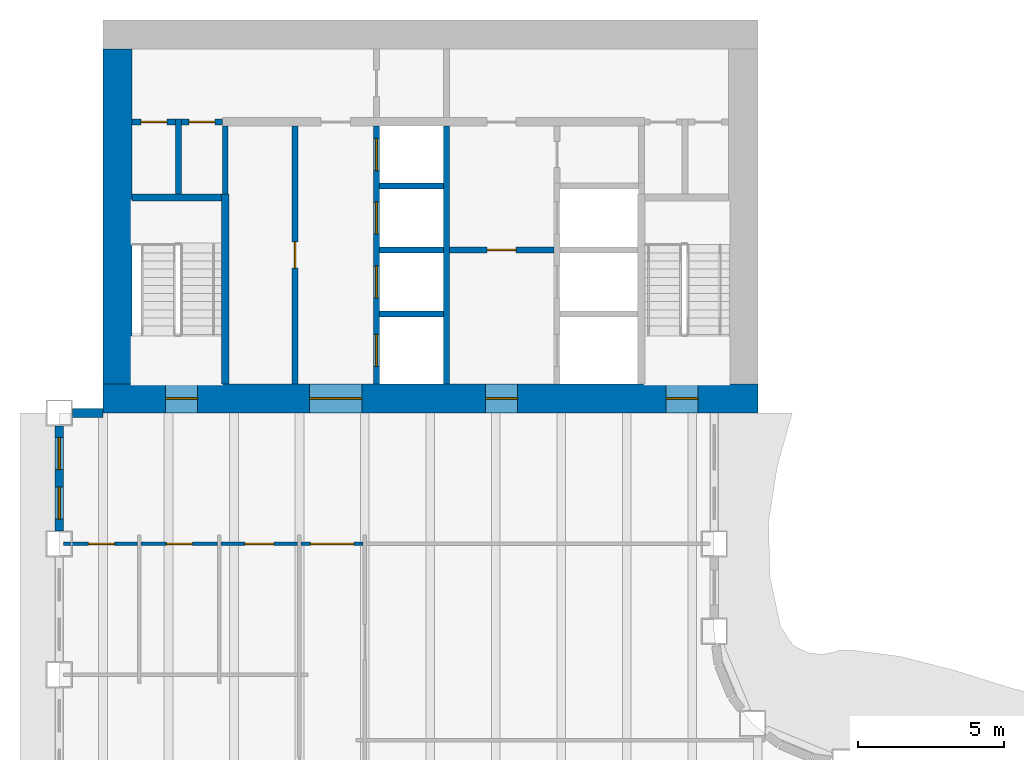
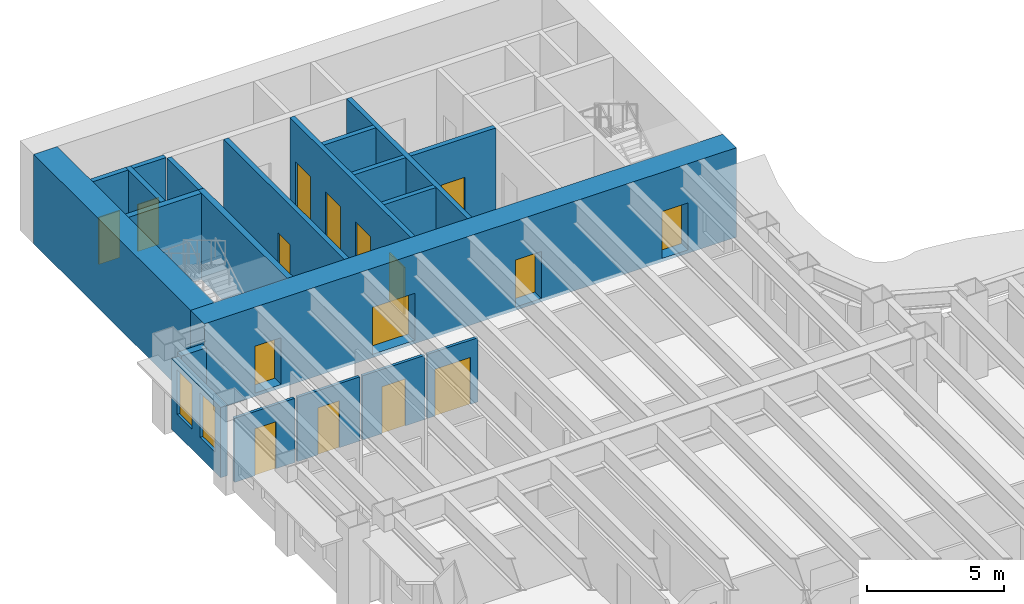
# One storey, part 8 of 16: 21 walls, 16 doors, 2 windows, 18 openings.
"""IFC4 building model written with IfcOpenShell, lengths in metres."""

import ifcopenshell
import ifcopenshell.guid

model = None  # the IFC model being written
_history = None  # IfcOwnerHistory: only IFC2X3 demands one
_inside = {}  # id of a spatial element -> (the spatial element, [elements in it])
_under = {}  # id of a project, library or spatial element -> (it, [spatial elements below it])
_declared = {}  # id of a project -> (the project, [libraries it declares])
_typed = {}  # id of a type object -> (the type object, [elements of that type])
_made_of = {}  # id of a material, layer set ... -> (it, [elements and type objects made of it])


def new_model(schema):
    """Start an empty IFC model of exactly this schema.

    Asked for "IFC4X3", IfcOpenShell would pick the latest addendum, in which some entities
    have other attributes; the version numbers below select the first issue.
    IFC2X3 requires an IfcOwnerHistory on every rooted entity: one is made here for all.
    """
    global model, _history
    if schema == "IFC4X3":
        model = ifcopenshell.file(schema_version=(4, 3, 0, 0))
    else:
        model = ifcopenshell.file(schema=schema)
    _inside.clear()
    _under.clear()
    _declared.clear()
    _typed.clear()
    _made_of.clear()
    _history = None
    if model.schema == "IFC2X3":
        org = make("IfcOrganization", Name="unknown")
        user = make(
            "IfcPersonAndOrganization",
            ThePerson=make("IfcPerson", FamilyName="unknown"),
            TheOrganization=org,
        )
        app = make(
            "IfcApplication",
            ApplicationDeveloper=org,
            Version="unknown",
            ApplicationFullName="unknown",
            ApplicationIdentifier="unknown",
        )
        _history = make(
            "IfcOwnerHistory",
            OwningUser=user,
            OwningApplication=app,
            ChangeAction="ADDED",
            CreationDate=0,
        )
    return model


def make(cls, **values):
    """One entity of the class cls with the attributes given. An attribute that is None is left unset."""
    return model.create_entity(
        cls, **{name: value for name, value in values.items() if value is not None}
    )


def rooted(cls, **values):
    """An entity with a GlobalId (a new one), such as an element, a storey or a relation."""
    return make(cls, GlobalId=ifcopenshell.guid.new(), OwnerHistory=_history, **values)


def si_unit(unit_type, name, prefix=None):
    """IfcSIUnit, for example si_unit("LENGTHUNIT", "METRE", prefix="MILLI")."""
    return make("IfcSIUnit", UnitType=unit_type, Prefix=prefix, Name=name)


def assignment(units):
    """IfcUnitAssignment: the units of a project."""
    return None if units is None else make("IfcUnitAssignment", Units=units)


def point(xyz):
    """IfcCartesianPoint."""
    return None if xyz is None else make("IfcCartesianPoint", Coordinates=xyz)


def direction(xyz):
    """IfcDirection."""
    return None if xyz is None else make("IfcDirection", DirectionRatios=xyz)


def frame(location, z_axis=None, x_axis=None):
    """IfcAxis2Placement3D, a coordinate frame: its origin and axes. An axis left out is left unset."""
    return make(
        "IfcAxis2Placement3D",
        Location=point(location),
        Axis=direction(z_axis),
        RefDirection=direction(x_axis),
    )


def frame_2d(location, x_axis=None):
    """IfcAxis2Placement2D, a coordinate frame in the plane: its origin and x axis."""
    return make(
        "IfcAxis2Placement2D", Location=point(location), RefDirection=direction(x_axis)
    )


def origin():
    """The frame at (0, 0, 0) with its axes left unset."""
    return frame((0.0, 0.0, 0.0))


def place(relative_to, where):
    """IfcLocalPlacement: puts the frame where relative to a parent placement (None: the world)."""
    return make(
        "IfcLocalPlacement", PlacementRelTo=relative_to, RelativePlacement=where
    )


def context(
    kind, dimensions, precision=None, world=None, true_north=None, identifier=None
):
    """IfcGeometricRepresentationContext, for example the 3D "Model" context."""
    return make(
        "IfcGeometricRepresentationContext",
        ContextIdentifier=identifier,
        ContextType=kind,
        CoordinateSpaceDimension=dimensions,
        Precision=precision,
        WorldCoordinateSystem=world,
        TrueNorth=true_north,
    )


def subcontext(parent, identifier, kind, view, scale=None):
    """IfcGeometricRepresentationSubContext, for example "Body" below "Model"."""
    return make(
        "IfcGeometricRepresentationSubContext",
        ContextIdentifier=identifier,
        ContextType=kind,
        ParentContext=parent,
        TargetScale=scale,
        TargetView=view,
    )


def project(units=None, contexts=None):
    """IfcProject with its units and contexts."""
    return rooted(
        "IfcProject",
        Name="project",
        RepresentationContexts=contexts,
        UnitsInContext=assignment(units),
    )


def spatial(cls, under=None, at=None, **own):
    """A site, building, storey or space (cls), placed at a placement, below another one or the project."""
    s = rooted(cls, ObjectPlacement=at, **own)
    if under is not None:
        _under.setdefault(under.id(), (under, []))[1].append(s)
    return s


def profile(cls, at=None, kind="AREA", **sizes):
    """A parametric profile (cls). Its sizes go by their IFC names, for example OverallWidth=200.0."""
    return make(cls, ProfileType=kind, Position=at, **sizes)


def rectangle(**sizes):
    """IfcRectangleProfileDef."""
    return profile("IfcRectangleProfileDef", **sizes)


def extrude(swept, where, along, depth):
    """IfcExtrudedAreaSolid: the profile swept, set in the frame where, extruded along a direction by depth."""
    return make(
        "IfcExtrudedAreaSolid",
        SweptArea=swept,
        Position=where,
        ExtrudedDirection=direction(along),
        Depth=depth,
    )


def shape(context_of_items, identifier, shape_type, items):
    """IfcShapeRepresentation: the items that make up one representation, for example the "Body"."""
    return make(
        "IfcShapeRepresentation",
        ContextOfItems=context_of_items,
        RepresentationIdentifier=identifier,
        RepresentationType=shape_type,
        Items=items,
    )


def material(Name=None, Category=None):
    """IfcMaterial."""
    return make("IfcMaterial", Name=Name, Category=Category)


def layer(
    of_material, thickness, ventilated=None, Name=None, Category=None, Priority=None
):
    """IfcMaterialLayer: one layer of a wall or slab, of a material (None: an air gap)."""
    return make(
        "IfcMaterialLayer",
        Material=of_material,
        LayerThickness=thickness,
        IsVentilated=ventilated,
        Name=Name,
        Category=Category,
        Priority=Priority,
    )


def layer_set(layers, Name=None):
    """IfcMaterialLayerSet."""
    return make("IfcMaterialLayerSet", MaterialLayers=layers, LayerSetName=Name)


def made_of(thing, what):
    """Note that an element or type object is made of a material, layer set ...; save() writes the relation."""
    if what is not None:
        _made_of.setdefault(what.id(), (what, []))[1].append(thing)
    return thing


def type_object(cls, material=None, **own):
    """A type object (cls), such as IfcWallType, which elements share."""
    return made_of(rooted(cls, **own), material)


def element(
    cls,
    number,
    at=None,
    inside=None,
    cuts=None,
    type_object=None,
    material=None,
    context=None,
    identifier="Body",
    shape_type=None,
    held_by="IfcProductDefinitionShape",
    body=None,
    shapes=None,
    **own,
):
    """One element of the class cls, such as IfcWall. Its Tag is "e" and its number.

    at: its placement. inside: the storey or other place that contains it. cuts: it is an
    opening in that element (IfcRelVoidsElement). A single representation is given by context,
    identifier, shape_type and body (its items); several are given by shapes. held_by: the class
    of the entity that holds the representations. save() writes the other relations.
    """
    e = rooted(cls, Tag="e%d" % number, ObjectPlacement=at, **own)
    if body is not None:
        shapes = [shape(context, identifier, shape_type, body)]
    if shapes is not None:
        e.Representation = make(held_by, Representations=shapes)
    if inside is not None:
        _inside.setdefault(inside.id(), (inside, []))[1].append(e)
    if cuts is not None:
        rooted(
            "IfcRelVoidsElement", RelatingBuildingElement=cuts, RelatedOpeningElement=e
        )
    if type_object is not None:
        _typed.setdefault(type_object.id(), (type_object, []))[1].append(e)
    return made_of(e, material)


def fill(opening, filler):
    """IfcRelFillsElement: the door or window that sits in an opening."""
    return rooted(
        "IfcRelFillsElement",
        RelatingOpeningElement=opening,
        RelatedBuildingElement=filler,
    )


def aggregate(whole, parts):
    """IfcRelAggregates: a whole, such as a stair, and the parts it consists of."""
    return rooted("IfcRelAggregates", RelatingObject=whole, RelatedObjects=parts)


def save(model, path):
    """Write the relations noted so far, then the file.

    IfcRelAggregates (storeys below a building ...), IfcRelContainedInSpatialStructure (elements
    in a storey), IfcRelDefinesByType, IfcRelAssociatesMaterial and IfcRelDeclares: one each for
    every whole, place, type object, material and project.
    """
    for whole, parts in _under.values():
        aggregate(whole, parts)
    for where, things in _inside.values():
        rooted(
            "IfcRelContainedInSpatialStructure",
            RelatedElements=things,
            RelatingStructure=where,
        )
    for kind, things in _typed.values():
        rooted("IfcRelDefinesByType", RelatedObjects=things, RelatingType=kind)
    for what, things in _made_of.values():
        rooted("IfcRelAssociatesMaterial", RelatedObjects=things, RelatingMaterial=what)
    for by, libraries in _declared.values():
        rooted("IfcRelDeclares", RelatingContext=by, RelatedDefinitions=libraries)
    model.write(path)


model = new_model("IFC4")

# Units and contexts
model_context = context("Model", 3, precision=1e-05, world=origin(), true_north=direction((0.0, 1.0)))
body_context = subcontext(model_context, "Body", "Model", "MODEL_VIEW")
ifc_project = project(units=[si_unit("LENGTHUNIT", "METRE"), si_unit("AREAUNIT", "SQUARE_METRE"), si_unit("VOLUMEUNIT", "CUBIC_METRE"), si_unit("PLANEANGLEUNIT", "RADIAN"), si_unit("MASSUNIT", "GRAM", prefix="KILO")], contexts=[model_context])

# Site, building, storey
site_placement = place(None, origin())
site = spatial("IfcSite", under=ifc_project, at=site_placement, CompositionType="ELEMENT")
building_placement = place(site_placement, origin())
building = spatial("IfcBuilding", under=site, at=building_placement, Name="Sennacour Bend Tower", CompositionType="ELEMENT")
storey_placement = place(building_placement, frame((0.0, 0.0, 171.0)))
storey = spatial("IfcBuildingStorey", under=building, at=storey_placement, Name="L39", CompositionType="ELEMENT", Elevation=171.0)

# Wall, openings, doors
ifc_material_1 = material(Name="Concrete C60/75", Category="concrete")
ifc_layer_1 = layer(ifc_material_1, 1.0, Name="Concrete C60/75", Category="concrete")
ifc_layer_set_1 = layer_set([ifc_layer_1], Name="Concrete C60/75")
wall_type_1 = type_object("IfcWallType", Name="Core wall 1000 C60/75", PredefinedType="SHEAR", material=ifc_layer_set_1)
wall_1_placement = place(storey_placement, frame((0.0, 36.5, -0.14990234375), z_axis=(0.0, 0.0, 1.0), x_axis=(1.0, 0.0, 0.0)))
wall_1 = element("IfcWall", 1, at=wall_1_placement, inside=storey, type_object=wall_type_1, Name="Core B wall L39 S", PredefinedType="SHEAR", context=body_context, shape_type="SweptSolid", body=[
    extrude(rectangle(XDim=22.5, YDim=1.0, at=frame_2d((11.25, 0.0))), origin(), (0.0, 0.0, 1.0), 4.0),
])
opening_1_placement = place(wall_1_placement, frame((7.10009765625, 0.0, 0.14990234375)))
opening_1 = element("IfcOpeningElement", 2, at=opening_1_placement, cuts=wall_1, Name="Opening CD", PredefinedType="OPENING", context=body_context, shape_type="SweptSolid", body=[
    extrude(rectangle(XDim=1.800048828125, YDim=2.10009765625, at=frame_2d((0.89990234375, 1.050048828125))), frame((0.0, 0.510009765625, 0.0), z_axis=(0.0, -1.0, 0.0), x_axis=(1.0, 0.0, 0.0)), (0.0, 0.0, 1.0), 1.02001953125),
])
opening_2_placement = place(wall_1_placement, frame((13.14990234375, 0.0, 0.14990234375)))
opening_2 = element("IfcOpeningElement", 3, at=opening_2_placement, cuts=wall_1, Name="Opening FD", PredefinedType="OPENING", context=body_context, shape_type="SweptSolid", body=[
    extrude(rectangle(XDim=1.10009765625, YDim=2.10009765625, at=frame_2d((0.550048828125, 1.050048828125))), frame((0.0, 0.510009765625, 0.0), z_axis=(0.0, -1.0, 0.0), x_axis=(1.0, 0.0, 0.0)), (0.0, 0.0, 1.0), 1.02001953125),
])
opening_3_placement = place(wall_1_placement, frame((2.14990234375, 0.0, 0.14990234375)))
opening_3 = element("IfcOpeningElement", 4, at=opening_3_placement, cuts=wall_1, Name="Opening SD", PredefinedType="OPENING", context=body_context, shape_type="SweptSolid", body=[
    extrude(rectangle(XDim=1.10009765625, YDim=2.10009765625, at=frame_2d((0.550048828125, 1.050048828125))), frame((0.0, 0.510009765625, 0.0), z_axis=(0.0, -1.0, 0.0), x_axis=(1.0, 0.0, 0.0)), (0.0, 0.0, 1.0), 1.02001953125),
])
opening_4_placement = place(wall_1_placement, frame((19.35009765625, 0.0, 0.14990234375)))
opening_4 = element("IfcOpeningElement", 5, at=opening_4_placement, cuts=wall_1, Name="Opening SD", PredefinedType="OPENING", context=body_context, shape_type="SweptSolid", body=[
    extrude(rectangle(XDim=1.10009765625, YDim=2.10009765625, at=frame_2d((0.550048828125, 1.050048828125))), frame((0.0, 0.510009765625, 0.0), z_axis=(0.0, -1.0, 0.0), x_axis=(1.0, 0.0, 0.0)), (0.0, 0.0, 1.0), 1.02001953125),
])
ifc_material_2 = material(Name="Painted steel", Category="steel")
door_type_1 = type_object("IfcDoorType", Name="DR-FFL-1100", OperationType="NOTDEFINED", PredefinedType="DOOR", material=ifc_material_2)
door_1_placement = place(opening_2_placement, origin())
door_1 = element("IfcDoor", 6, at=door_1_placement, inside=storey, type_object=door_type_1, Name="Door", OperationType="SINGLE_SWING_RIGHT", OverallHeight=2.10009765625, OverallWidth=1.10009765625, PredefinedType="DOOR", context=body_context, shape_type="SweptSolid", body=[
    extrude(rectangle(XDim=1.10009765625, YDim=2.10009765625, at=frame_2d((0.550048828125, 1.050048828125))), frame((0.0, 0.02490234375, 0.0), z_axis=(0.0, -1.0, 0.0), x_axis=(1.0, 0.0, 0.0)), (0.0, 0.0, 1.0), 0.050048828125),
])
fill(opening_2, door_1)
door_type_2 = type_object("IfcDoorType", Name="DR-LOBBY-1800", OperationType="NOTDEFINED", PredefinedType="DOOR", material=ifc_material_2)
door_2_placement = place(opening_1_placement, origin())
door_2 = element("IfcDoor", 7, at=door_2_placement, inside=storey, type_object=door_type_2, Name="Door", OperationType="DOUBLE_DOOR_SINGLE_SWING", OverallHeight=2.10009765625, OverallWidth=1.800048828125, PredefinedType="DOOR", context=body_context, shape_type="SweptSolid", body=[
    extrude(rectangle(XDim=1.800048828125, YDim=2.10009765625, at=frame_2d((0.89990234375, 1.050048828125))), frame((0.0, 0.02490234375, 0.0), z_axis=(0.0, -1.0, 0.0), x_axis=(1.0, 0.0, 0.0)), (0.0, 0.0, 1.0), 0.050048828125),
])
fill(opening_1, door_2)
door_type_3 = type_object("IfcDoorType", Name="DR-STAIR-1100", OperationType="NOTDEFINED", PredefinedType="DOOR", material=ifc_material_2)
door_3_placement = place(opening_3_placement, origin())
door_3 = element("IfcDoor", 8, at=door_3_placement, inside=storey, type_object=door_type_3, Name="Door", OperationType="SINGLE_SWING_LEFT", OverallHeight=2.10009765625, OverallWidth=1.10009765625, PredefinedType="DOOR", context=body_context, shape_type="SweptSolid", body=[
    extrude(rectangle(XDim=1.10009765625, YDim=2.10009765625, at=frame_2d((0.550048828125, 1.050048828125))), frame((0.0, 0.02490234375, 0.0), z_axis=(0.0, -1.0, 0.0), x_axis=(1.0, 0.0, 0.0)), (0.0, 0.0, 1.0), 0.050048828125),
])
fill(opening_3, door_3)
door_4_placement = place(opening_4_placement, origin())
door_4 = element("IfcDoor", 9, at=door_4_placement, inside=storey, type_object=door_type_3, Name="Door", OperationType="SINGLE_SWING_RIGHT", OverallHeight=2.10009765625, OverallWidth=1.10009765625, PredefinedType="DOOR", context=body_context, shape_type="SweptSolid", body=[
    extrude(rectangle(XDim=1.10009765625, YDim=2.10009765625, at=frame_2d((0.550048828125, 1.050048828125))), frame((0.0, 0.02490234375, 0.0), z_axis=(0.0, -1.0, 0.0), x_axis=(1.0, 0.0, 0.0)), (0.0, 0.0, 1.0), 0.050048828125),
])
fill(opening_4, door_4)

# Wall
wall_2_placement = place(storey_placement, frame((0.5, 37.0, -0.14990234375), z_axis=(0.0, 0.0, 1.0), x_axis=(0.0, 1.0, 0.0)))
element("IfcWall", 10, at=wall_2_placement, inside=storey, type_object=wall_type_1, Name="Core B wall L39 W", PredefinedType="SHEAR", context=body_context, shape_type="SweptSolid", body=[
    extrude(rectangle(XDim=11.5, YDim=1.0, at=frame_2d((5.75, 0.0))), origin(), (0.0, 0.0, 1.0), 4.0),
])

# Wall, opening, door
ifc_material_3 = material(Name="Plasterboard partition on steel studs", Category="steel")
ifc_layer_2 = layer(ifc_material_3, 0.1201171875, Name="Plasterboard partition on steel studs", Category="steel")
ifc_layer_set_2 = layer_set([ifc_layer_2], Name="Plasterboard partition on steel studs")
wall_type_2 = type_object("IfcWallType", Name="Partition 120", PredefinedType="PARTITIONING", material=ifc_layer_set_2)
wall_3_placement = place(storey_placement, frame((-1.35009765625, 31.5, 0.0), z_axis=(0.0, 0.0, 1.0), x_axis=(1.0, 0.0, 0.0)))
wall_3 = element("IfcWall", 11, at=wall_3_placement, inside=storey, type_object=wall_type_2, Name="P-L39-W083aa", PredefinedType="PARTITIONING", context=body_context, shape_type="SweptSolid", body=[
    extrude(rectangle(XDim=2.5400390625, YDim=0.1201171875, at=frame_2d((1.27001953125, 0.0))), origin(), (0.0, 0.0, 1.0), 2.8701171875),
])
opening_5_placement = place(wall_3_placement, frame((0.85009765625, 0.0, 0.0)))
opening_5 = element("IfcOpeningElement", 12, at=opening_5_placement, cuts=wall_3, Name="Opening WD", PredefinedType="OPENING", context=body_context, shape_type="SweptSolid", body=[
    extrude(rectangle(XDim=0.89990234375, YDim=2.10009765625, at=frame_2d((0.449951171875, 1.050048828125))), frame((0.0, 0.070068359375, 0.0), z_axis=(0.0, -1.0, 0.0), x_axis=(1.0, 0.0, 0.0)), (0.0, 0.0, 1.0), 0.14013671875),
])
ifc_material_4 = material(Name="Timber", Category="wood")
door_type_4 = type_object("IfcDoorType", Name="DR-WC-900", OperationType="NOTDEFINED", PredefinedType="DOOR", material=ifc_material_4)
door_5_placement = place(opening_5_placement, origin())
door_5 = element("IfcDoor", 13, at=door_5_placement, inside=storey, type_object=door_type_4, Name="Door", OperationType="SINGLE_SWING_RIGHT", OverallHeight=2.10009765625, OverallWidth=0.89990234375, PredefinedType="DOOR", context=body_context, shape_type="SweptSolid", body=[
    extrude(rectangle(XDim=0.89990234375, YDim=2.10009765625, at=frame_2d((0.449951171875, 1.050048828125))), frame((0.0, 0.02490234375, 0.0), z_axis=(0.0, -1.0, 0.0), x_axis=(1.0, 0.0, 0.0)), (0.0, 0.0, 1.0), 0.050048828125),
])
fill(opening_5, door_5)

wall_4_placement = place(storey_placement, frame((1.31005859375, 31.5, 0.0), z_axis=(0.0, 0.0, 1.0), x_axis=(1.0, 0.0, 0.0)))
wall_4 = element("IfcWall", 14, at=wall_4_placement, inside=storey, type_object=wall_type_2, Name="P-L39-W083ab", PredefinedType="PARTITIONING", context=body_context, shape_type="SweptSolid", body=[
    extrude(rectangle(XDim=2.6298828125, YDim=0.1201171875, at=frame_2d((1.31494140625, 0.0))), origin(), (0.0, 0.0, 1.0), 2.8701171875),
])
opening_6_placement = place(wall_4_placement, frame((0.864990234375, 0.0, 0.0)))
opening_6 = element("IfcOpeningElement", 15, at=opening_6_placement, cuts=wall_4, Name="Opening WD", PredefinedType="OPENING", context=body_context, shape_type="SweptSolid", body=[
    extrude(rectangle(XDim=0.89990234375, YDim=2.10009765625, at=frame_2d((0.449951171875, 1.050048828125))), frame((0.0, 0.070068359375, 0.0), z_axis=(0.0, -1.0, 0.0), x_axis=(1.0, 0.0, 0.0)), (0.0, 0.0, 1.0), 0.14013671875),
])
door_6_placement = place(opening_6_placement, origin())
door_6 = element("IfcDoor", 16, at=door_6_placement, inside=storey, type_object=door_type_4, Name="Door", OperationType="SINGLE_SWING_LEFT", OverallHeight=2.10009765625, OverallWidth=0.89990234375, PredefinedType="DOOR", context=body_context, shape_type="SweptSolid", body=[
    extrude(rectangle(XDim=0.89990234375, YDim=2.10009765625, at=frame_2d((0.449951171875, 1.050048828125))), frame((0.0, 0.02490234375, 0.0), z_axis=(0.0, -1.0, 0.0), x_axis=(1.0, 0.0, 0.0)), (0.0, 0.0, 1.0), 0.050048828125),
])
fill(opening_6, door_6)

wall_5_placement = place(storey_placement, frame((4.06005859375, 31.5, 0.0), z_axis=(0.0, 0.0, 1.0), x_axis=(1.0, 0.0, 0.0)))
wall_5 = element("IfcWall", 17, at=wall_5_placement, inside=storey, type_object=wall_type_2, Name="P-L39-W083ac", PredefinedType="PARTITIONING", context=body_context, shape_type="SweptSolid", body=[
    extrude(rectangle(XDim=2.6298828125, YDim=0.1201171875, at=frame_2d((1.31494140625, 0.0))), origin(), (0.0, 0.0, 1.0), 2.8701171875),
])
opening_7_placement = place(wall_5_placement, frame((0.81494140625, 0.0, 0.0)))
opening_7 = element("IfcOpeningElement", 18, at=opening_7_placement, cuts=wall_5, Name="Opening AD", PredefinedType="OPENING", context=body_context, shape_type="SweptSolid", body=[
    extrude(rectangle(XDim=1.0, YDim=2.10009765625, at=frame_2d((0.5, 1.050048828125))), frame((0.0, 0.070068359375, 0.0), z_axis=(0.0, -1.0, 0.0), x_axis=(1.0, 0.0, 0.0)), (0.0, 0.0, 1.0), 0.14013671875),
])
door_type_5 = type_object("IfcDoorType", Name="DR-ACC-WC-1000", OperationType="NOTDEFINED", PredefinedType="DOOR", material=ifc_material_4)
door_7_placement = place(opening_7_placement, origin())
door_7 = element("IfcDoor", 19, at=door_7_placement, inside=storey, type_object=door_type_5, Name="Door", OperationType="SINGLE_SWING_LEFT", OverallHeight=2.10009765625, OverallWidth=1.0, PredefinedType="DOOR", context=body_context, shape_type="SweptSolid", body=[
    extrude(rectangle(XDim=1.0, YDim=2.10009765625, at=frame_2d((0.5, 1.050048828125))), frame((0.0, 0.02490234375, 0.0), z_axis=(0.0, -1.0, 0.0), x_axis=(1.0, 0.0, 0.0)), (0.0, 0.0, 1.0), 0.050048828125),
])
fill(opening_7, door_7)

ifc_layer_3 = layer(ifc_material_3, 0.1201171875, Name="Plasterboard partition on steel studs", Category="steel")
ifc_layer_set_3 = layer_set([ifc_layer_3], Name="Plasterboard partition on steel studs")
wall_type_3 = type_object("IfcWallType", Name="Partition 120 EI 30", PredefinedType="PARTITIONING", material=ifc_layer_set_3)
wall_6_placement = place(storey_placement, frame((6.81005859375, 31.5, 0.0), z_axis=(0.0, 0.0, 1.0), x_axis=(1.0, 0.0, 0.0)))
wall_6 = element("IfcWall", 20, at=wall_6_placement, inside=storey, type_object=wall_type_3, Name="P-L39-W083ad", PredefinedType="PARTITIONING", context=body_context, shape_type="SweptSolid", body=[
    extrude(rectangle(XDim=2.1298828125, YDim=0.1201171875, at=frame_2d((1.06494140625, 0.0))), origin(), (0.0, 0.0, 1.0), 2.8701171875),
])
opening_8_placement = place(wall_6_placement, frame((0.31494140625, 0.0, 0.0)))
opening_8 = element("IfcOpeningElement", 21, at=opening_8_placement, cuts=wall_6, Name="Opening KD", PredefinedType="OPENING", context=body_context, shape_type="SweptSolid", body=[
    extrude(rectangle(XDim=1.5, YDim=2.10009765625, at=frame_2d((0.75, 1.050048828125))), frame((0.0, 0.070068359375, 0.0), z_axis=(0.0, -1.0, 0.0), x_axis=(1.0, 0.0, 0.0)), (0.0, 0.0, 1.0), 0.14013671875),
])
door_type_6 = type_object("IfcDoorType", Name="DR-CORRIDOR-1500", OperationType="NOTDEFINED", PredefinedType="DOOR", material=ifc_material_2)
door_8_placement = place(opening_8_placement, origin())
door_8 = element("IfcDoor", 22, at=door_8_placement, inside=storey, type_object=door_type_6, Name="Door", OperationType="SINGLE_SWING_LEFT", OverallHeight=2.10009765625, OverallWidth=1.5, PredefinedType="DOOR", context=body_context, shape_type="SweptSolid", body=[
    extrude(rectangle(XDim=1.5, YDim=2.10009765625, at=frame_2d((0.75, 1.050048828125))), frame((0.0, 0.02490234375, 0.0), z_axis=(0.0, -1.0, 0.0), x_axis=(1.0, 0.0, 0.0)), (0.0, 0.0, 1.0), 0.050048828125),
])
fill(opening_8, door_8)

# Walls
ifc_material_5 = material(Name="Fire-rated plasterboard partition on steel studs", Category="steel")
ifc_layer_4 = layer(ifc_material_5, 0.199951171875, Name="Fire-rated plasterboard partition on steel studs", Category="steel")
ifc_layer_set_4 = layer_set([ifc_layer_4], Name="Fire-rated plasterboard partition on steel studs")
wall_type_4 = type_object("IfcWallType", Name="Rated partition 200", PredefinedType="PARTITIONING", material=ifc_layer_set_4)
wall_7_placement = place(storey_placement, frame((2.60009765625, 43.52490234375, 0.0), z_axis=(0.0, 0.0, 1.0), x_axis=(0.0, 1.0, 0.0)))
element("IfcWall", 23, at=wall_7_placement, inside=storey, type_object=wall_type_4, Name="P-L39-W005", PredefinedType="PARTITIONING", context=body_context, shape_type="SweptSolid", body=[
    extrude(rectangle(XDim=2.5751953125, YDim=0.199951171875, at=frame_2d((1.28759765625, 0.0))), origin(), (0.0, 0.0, 1.0), 3.85009765625),
])
wall_8_placement = place(storey_placement, frame((4.199951171875, 43.52490234375, 0.0), z_axis=(0.0, 0.0, 1.0), x_axis=(0.0, 1.0, 0.0)))
element("IfcWall", 24, at=wall_8_placement, inside=storey, type_object=wall_type_4, Name="P-L39-W008", PredefinedType="PARTITIONING", context=body_context, shape_type="SweptSolid", body=[
    extrude(rectangle(XDim=2.3251953125, YDim=0.199951171875, at=frame_2d((1.16259765625, 0.0))), origin(), (0.0, 0.0, 1.0), 3.85009765625),
])

# Wall, opening, door
wall_9_placement = place(storey_placement, frame((6.60009765625, 37.0, 0.0), z_axis=(0.0, 0.0, 1.0), x_axis=(0.0, 1.0, 0.0)))
wall_9 = element("IfcWall", 25, at=wall_9_placement, inside=storey, type_object=wall_type_4, Name="P-L39-W009", PredefinedType="PARTITIONING", context=body_context, shape_type="SweptSolid", body=[
    extrude(rectangle(XDim=8.85009765625, YDim=0.199951171875, at=frame_2d((4.425048828125, 0.0))), origin(), (0.0, 0.0, 1.0), 3.85009765625),
])
opening_9_placement = place(wall_9_placement, frame((3.97509765625, 0.0, 0.0)))
opening_9 = element("IfcOpeningElement", 26, at=opening_9_placement, cuts=wall_9, Name="Opening SV", PredefinedType="OPENING", context=body_context, shape_type="SweptSolid", body=[
    extrude(rectangle(XDim=0.89990234375, YDim=2.10009765625, at=frame_2d((0.449951171875, 1.050048828125))), frame((0.0, 0.10986328125, 0.0), z_axis=(0.0, -1.0, 0.0), x_axis=(1.0, 0.0, 0.0)), (0.0, 0.0, 1.0), 0.219970703125),
])
door_type_7 = type_object("IfcDoorType", Name="DR-SERVICE-900", OperationType="NOTDEFINED", PredefinedType="DOOR", material=ifc_material_2)
door_9_placement = place(opening_9_placement, origin())
door_9 = element("IfcDoor", 27, at=door_9_placement, inside=storey, type_object=door_type_7, Name="Door", OperationType="SINGLE_SWING_LEFT", OverallHeight=2.10009765625, OverallWidth=0.89990234375, PredefinedType="DOOR", context=body_context, shape_type="SweptSolid", body=[
    extrude(rectangle(XDim=0.89990234375, YDim=2.10009765625, at=frame_2d((0.449951171875, 1.050048828125))), frame((0.0, 0.02490234375, 0.0), z_axis=(0.0, -1.0, 0.0), x_axis=(1.0, 0.0, 0.0)), (0.0, 0.0, 1.0), 0.050048828125),
])
fill(opening_9, door_9)

wall_10_placement = place(storey_placement, frame((1.0, 46.0, 0.0), z_axis=(0.0, 0.0, 1.0), x_axis=(1.0, 0.0, 0.0)))
wall_10 = element("IfcWall", 28, at=wall_10_placement, inside=storey, type_object=wall_type_4, Name="P-L39-W094a", PredefinedType="PARTITIONING", context=body_context, shape_type="SweptSolid", body=[
    extrude(rectangle(XDim=1.5, YDim=0.199951171875, at=frame_2d((0.75, 0.0))), origin(), (0.0, 0.0, 1.0), 3.85009765625),
])
opening_10_placement = place(wall_10_placement, frame((0.300048828125, 0.0, 0.0)))
opening_10 = element("IfcOpeningElement", 29, at=opening_10_placement, cuts=wall_10, Name="Opening SV", PredefinedType="OPENING", context=body_context, shape_type="SweptSolid", body=[
    extrude(rectangle(XDim=0.89990234375, YDim=2.10009765625, at=frame_2d((0.449951171875, 1.050048828125))), frame((0.0, 0.10986328125, 0.0), z_axis=(0.0, -1.0, 0.0), x_axis=(1.0, 0.0, 0.0)), (0.0, 0.0, 1.0), 0.219970703125),
])
door_10_placement = place(opening_10_placement, origin())
door_10 = element("IfcDoor", 30, at=door_10_placement, inside=storey, type_object=door_type_7, Name="Door", OperationType="SINGLE_SWING_LEFT", OverallHeight=2.10009765625, OverallWidth=0.89990234375, PredefinedType="DOOR", context=body_context, shape_type="SweptSolid", body=[
    extrude(rectangle(XDim=0.89990234375, YDim=2.10009765625, at=frame_2d((0.449951171875, 1.050048828125))), frame((0.0, 0.02490234375, 0.0), z_axis=(0.0, -1.0, 0.0), x_axis=(1.0, 0.0, 0.0)), (0.0, 0.0, 1.0), 0.050048828125),
])
fill(opening_10, door_10)

wall_11_placement = place(storey_placement, frame((2.699951171875, 46.0, 0.0), z_axis=(0.0, 0.0, 1.0), x_axis=(1.0, 0.0, 0.0)))
wall_11 = element("IfcWall", 31, at=wall_11_placement, inside=storey, type_object=wall_type_4, Name="P-L39-W094b", PredefinedType="PARTITIONING", context=body_context, shape_type="SweptSolid", body=[
    extrude(rectangle(XDim=1.400146484375, YDim=0.199951171875, at=frame_2d((0.7001953125, 0.0))), origin(), (0.0, 0.0, 1.0), 3.85009765625),
])
opening_11_placement = place(wall_11_placement, frame((0.25, 0.0, 0.0)))
opening_11 = element("IfcOpeningElement", 32, at=opening_11_placement, cuts=wall_11, Name="Opening WD", PredefinedType="OPENING", context=body_context, shape_type="SweptSolid", body=[
    extrude(rectangle(XDim=0.89990234375, YDim=2.10009765625, at=frame_2d((0.449951171875, 1.050048828125))), frame((0.0, 0.10986328125, 0.0), z_axis=(0.0, -1.0, 0.0), x_axis=(1.0, 0.0, 0.0)), (0.0, 0.0, 1.0), 0.219970703125),
])
door_11_placement = place(opening_11_placement, origin())
door_11 = element("IfcDoor", 33, at=door_11_placement, inside=storey, type_object=door_type_4, Name="Door", OperationType="SINGLE_SWING_LEFT", OverallHeight=2.10009765625, OverallWidth=0.89990234375, PredefinedType="DOOR", context=body_context, shape_type="SweptSolid", body=[
    extrude(rectangle(XDim=0.89990234375, YDim=2.10009765625, at=frame_2d((0.449951171875, 1.050048828125))), frame((0.0, 0.02490234375, 0.0), z_axis=(0.0, -1.0, 0.0), x_axis=(1.0, 0.0, 0.0)), (0.0, 0.0, 1.0), 0.050048828125),
])
fill(opening_11, door_11)

ifc_layer_5 = layer(ifc_material_5, 0.199951171875, Name="Fire-rated plasterboard partition on steel studs", Category="steel")
ifc_layer_set_5 = layer_set([ifc_layer_5], Name="Fire-rated plasterboard partition on steel studs")
wall_type_5 = type_object("IfcWallType", Name="Rated partition 200 EI 90", PredefinedType="PARTITIONING", material=ifc_layer_set_5)
wall_12_placement = place(storey_placement, frame((11.89990234375, 41.60009765625, 0.0), z_axis=(0.0, 0.0, 1.0), x_axis=(1.0, 0.0, 0.0)))
wall_12 = element("IfcWall", 34, at=wall_12_placement, inside=storey, type_object=wall_type_5, Name="P-L39-W088", PredefinedType="PARTITIONING", context=body_context, shape_type="SweptSolid", body=[
    extrude(rectangle(XDim=3.60009765625, YDim=0.199951171875, at=frame_2d((1.800048828125, 0.0))), origin(), (0.0, 0.0, 1.0), 3.85009765625),
])
opening_12_placement = place(wall_12_placement, frame((1.300048828125, 0.0, 0.0)))
opening_12 = element("IfcOpeningElement", 35, at=opening_12_placement, cuts=wall_12, Name="Opening FD2", PredefinedType="OPENING", context=body_context, shape_type="SweptSolid", body=[
    extrude(rectangle(XDim=1.0, YDim=2.10009765625, at=frame_2d((0.5, 1.050048828125))), frame((0.0, 0.10986328125, 0.0), z_axis=(0.0, -1.0, 0.0), x_axis=(1.0, 0.0, 0.0)), (0.0, 0.0, 1.0), 0.219970703125),
])
door_type_8 = type_object("IfcDoorType", Name="DR-FFL-1000", OperationType="NOTDEFINED", PredefinedType="DOOR", material=ifc_material_2)
door_12_placement = place(opening_12_placement, origin())
door_12 = element("IfcDoor", 36, at=door_12_placement, inside=storey, type_object=door_type_8, Name="Door", OperationType="SINGLE_SWING_RIGHT", OverallHeight=2.10009765625, OverallWidth=1.0, PredefinedType="DOOR", context=body_context, shape_type="SweptSolid", body=[
    extrude(rectangle(XDim=1.0, YDim=2.10009765625, at=frame_2d((0.5, 1.050048828125))), frame((0.0, 0.02490234375, 0.0), z_axis=(0.0, -1.0, 0.0), x_axis=(1.0, 0.0, 0.0)), (0.0, 0.0, 1.0), 0.050048828125),
])
fill(opening_12, door_12)

# Wall
ifc_material_6 = material(Name="Warm limestone cladding", Category="masonry")
ifc_layer_6 = layer(ifc_material_6, 0.050048828125, Name="Warm limestone cladding", Category="masonry")
ifc_material_7 = material(Name="Precast concrete C40/50", Category="concrete")
ifc_layer_7 = layer(ifc_material_7, 0.25, Name="Precast concrete C40/50", Category="concrete")
ifc_layer_set_6 = layer_set([ifc_layer_6, ifc_layer_7], Name="Precast concrete C40/50 with limestone cladding")
wall_type_6 = type_object("IfcWallType", Name="STONE-CLAD PRECAST SPANDREL 300", PredefinedType="STANDARD", material=ifc_layer_set_6)
wall_13_placement = place(storey_placement, frame((0.0, 36.0, 0.0), z_axis=(0.0, 0.0, 1.0), x_axis=(-1.0, 0.0, 0.0)))
element("IfcWall", 37, at=wall_13_placement, inside=storey, type_object=wall_type_6, Name="Stone spandrel and pier wall L39 20.00", PredefinedType="STANDARD", context=body_context, shape_type="SweptSolid", body=[
    extrude(rectangle(XDim=1.050048828125, YDim=0.300048828125, at=frame_2d((0.52490234375, 0.0))), origin(), (0.0, 0.0, 1.0), 2.8701171875),
])

# Wall, openings, windows
wall_14_placement = place(storey_placement, frame((-1.5, 35.550048828125, 0.0), z_axis=(0.0, 0.0, 1.0), x_axis=(0.0, -1.0, 0.0)))
wall_14 = element("IfcWall", 38, at=wall_14_placement, inside=storey, type_object=wall_type_6, Name="Stone spandrel and pier wall L39 21.00", PredefinedType="STANDARD", context=body_context, shape_type="SweptSolid", body=[
    extrude(rectangle(XDim=3.60009765625, YDim=0.300048828125, at=frame_2d((1.800048828125, 0.0))), origin(), (0.0, 0.0, 1.0), 3.14892578125),
])
opening_13_placement = place(wall_14_placement, frame((0.39990234375, 0.0, 0.89990234375)))
opening_13 = element("IfcOpeningElement", 39, at=opening_13_placement, cuts=wall_14, Name="Opening W19", PredefinedType="OPENING", context=body_context, shape_type="SweptSolid", body=[
    extrude(rectangle(XDim=1.10009765625, YDim=2.0, at=frame_2d((0.550048828125, 1.0))), frame((0.0, 0.16015625, 0.0), z_axis=(0.0, -1.0, 0.0), x_axis=(1.0, 0.0, 0.0)), (0.0, 0.0, 1.0), 0.320068359375),
])
opening_14_placement = place(wall_14_placement, frame((2.10009765625, 0.0, 0.89990234375)))
opening_14 = element("IfcOpeningElement", 40, at=opening_14_placement, cuts=wall_14, Name="Opening W19", PredefinedType="OPENING", context=body_context, shape_type="SweptSolid", body=[
    extrude(rectangle(XDim=1.10009765625, YDim=2.0, at=frame_2d((0.550048828125, 1.0))), frame((0.0, 0.16015625, 0.0), z_axis=(0.0, -1.0, 0.0), x_axis=(1.0, 0.0, 0.0)), (0.0, 0.0, 1.0), 0.320068359375),
])
ifc_material_8 = material(Name="Clear low-emissivity glass", Category="glass")
window_type = type_object("IfcWindowType", Name="WIN-RIBBON-1100x2000", PartitioningType="SINGLE_PANEL", PredefinedType="WINDOW", material=ifc_material_8)
window_1_placement = place(opening_13_placement, origin())
window_1 = element("IfcWindow", 41, at=window_1_placement, inside=storey, type_object=window_type, Name="Ribbon window L39 21.00.0", OverallHeight=2.0, OverallWidth=1.10009765625, PartitioningType="SINGLE_PANEL", PredefinedType="WINDOW", context=body_context, shape_type="SweptSolid", body=[
    extrude(rectangle(XDim=1.10009765625, YDim=2.0, at=frame_2d((0.550048828125, 1.0))), frame((0.0, 0.030029296875, 0.0), z_axis=(0.0, -1.0, 0.0), x_axis=(1.0, 0.0, 0.0)), (0.0, 0.0, 1.0), 0.06005859375),
])
fill(opening_13, window_1)
window_2_placement = place(opening_14_placement, origin())
window_2 = element("IfcWindow", 42, at=window_2_placement, inside=storey, type_object=window_type, Name="Ribbon window L39 21.00.1", OverallHeight=2.0, OverallWidth=1.10009765625, PartitioningType="SINGLE_PANEL", PredefinedType="WINDOW", context=body_context, shape_type="SweptSolid", body=[
    extrude(rectangle(XDim=1.10009765625, YDim=2.0, at=frame_2d((0.550048828125, 1.0))), frame((0.0, 0.030029296875, 0.0), z_axis=(0.0, -1.0, 0.0), x_axis=(1.0, 0.0, 0.0)), (0.0, 0.0, 1.0), 0.06005859375),
])
fill(opening_14, window_2)

# Wall, openings, doors
ifc_material_9 = material(Name="Concrete C50/60", Category="concrete")
ifc_layer_8 = layer(ifc_material_9, 0.199951171875, Name="Concrete C50/60", Category="concrete")
ifc_layer_set_7 = layer_set([ifc_layer_8], Name="Concrete C50/60")
wall_type_7 = type_object("IfcWallType", Name="Shaft wall 200", PredefinedType="SOLIDWALL", material=ifc_layer_set_7)
wall_15_placement = place(storey_placement, frame((9.39990234375, 37.0, 0.0), z_axis=(0.0, 0.0, 1.0), x_axis=(0.0, 1.0, 0.0)))
wall_15 = element("IfcWall", 43, at=wall_15_placement, inside=storey, type_object=wall_type_7, Name="P-L39-W013", PredefinedType="SOLIDWALL", context=body_context, shape_type="SweptSolid", body=[
    extrude(rectangle(XDim=8.85009765625, YDim=0.199951171875, at=frame_2d((4.425048828125, 0.0))), origin(), (0.0, 0.0, 1.0), 3.85009765625),
])
opening_15_placement = place(wall_15_placement, frame((0.60009765625, 0.0, 0.011962890625)))
opening_15 = element("IfcOpeningElement", 44, at=opening_15_placement, cuts=wall_15, Name="Opening LD", PredefinedType="OPENING", context=body_context, shape_type="SweptSolid", body=[
    extrude(rectangle(XDim=1.10009765625, YDim=2.10009765625, at=frame_2d((0.550048828125, 1.050048828125))), frame((0.0, 0.10986328125, 0.0), z_axis=(0.0, -1.0, 0.0), x_axis=(1.0, 0.0, 0.0)), (0.0, 0.0, 1.0), 0.219970703125),
])
opening_16_placement = place(wall_15_placement, frame((2.949951171875, 0.0, 0.011962890625)))
opening_16 = element("IfcOpeningElement", 45, at=opening_16_placement, cuts=wall_15, Name="Opening LD", PredefinedType="OPENING", context=body_context, shape_type="SweptSolid", body=[
    extrude(rectangle(XDim=1.10009765625, YDim=2.10009765625, at=frame_2d((0.550048828125, 1.050048828125))), frame((0.0, 0.10986328125, 0.0), z_axis=(0.0, -1.0, 0.0), x_axis=(1.0, 0.0, 0.0)), (0.0, 0.0, 1.0), 0.219970703125),
])
opening_17_placement = place(wall_15_placement, frame((5.14990234375, 0.0, 0.011962890625)))
opening_17 = element("IfcOpeningElement", 46, at=opening_17_placement, cuts=wall_15, Name="Opening LD", PredefinedType="OPENING", context=body_context, shape_type="SweptSolid", body=[
    extrude(rectangle(XDim=1.10009765625, YDim=2.10009765625, at=frame_2d((0.550048828125, 1.050048828125))), frame((0.0, 0.10986328125, 0.0), z_axis=(0.0, -1.0, 0.0), x_axis=(1.0, 0.0, 0.0)), (0.0, 0.0, 1.0), 0.219970703125),
])
opening_18_placement = place(wall_15_placement, frame((7.324951171875, 0.0, 0.011962890625)))
opening_18 = element("IfcOpeningElement", 47, at=opening_18_placement, cuts=wall_15, Name="Opening LD", PredefinedType="OPENING", context=body_context, shape_type="SweptSolid", body=[
    extrude(rectangle(XDim=1.10009765625, YDim=2.10009765625, at=frame_2d((0.550048828125, 1.050048828125))), frame((0.0, 0.10986328125, 0.0), z_axis=(0.0, -1.0, 0.0), x_axis=(1.0, 0.0, 0.0)), (0.0, 0.0, 1.0), 0.219970703125),
])
ifc_material_10 = material(Name="Stainless steel", Category="steel")
door_type_9 = type_object("IfcDoorType", Name="DR-LANDING-1100", OperationType="NOTDEFINED", PredefinedType="DOOR", material=ifc_material_10)
door_13_placement = place(opening_15_placement, origin())
door_13 = element("IfcDoor", 48, at=door_13_placement, inside=storey, type_object=door_type_9, Name="Lift landing door MB1", OperationType="SLIDING_TO_RIGHT", OverallHeight=2.10009765625, OverallWidth=1.10009765625, PredefinedType="DOOR", context=body_context, shape_type="SweptSolid", body=[
    extrude(rectangle(XDim=1.10009765625, YDim=2.10009765625, at=frame_2d((0.550048828125, 1.050048828125))), frame((0.0, 0.02490234375, 0.0), z_axis=(0.0, -1.0, 0.0), x_axis=(1.0, 0.0, 0.0)), (0.0, 0.0, 1.0), 0.050048828125),
])
fill(opening_15, door_13)
door_14_placement = place(opening_16_placement, origin())
door_14 = element("IfcDoor", 49, at=door_14_placement, inside=storey, type_object=door_type_9, Name="Lift landing door MB2", OperationType="SLIDING_TO_LEFT", OverallHeight=2.10009765625, OverallWidth=1.10009765625, PredefinedType="DOOR", context=body_context, shape_type="SweptSolid", body=[
    extrude(rectangle(XDim=1.10009765625, YDim=2.10009765625, at=frame_2d((0.550048828125, 1.050048828125))), frame((0.0, 0.02490234375, 0.0), z_axis=(0.0, -1.0, 0.0), x_axis=(1.0, 0.0, 0.0)), (0.0, 0.0, 1.0), 0.050048828125),
])
fill(opening_16, door_14)
door_15_placement = place(opening_17_placement, origin())
door_15 = element("IfcDoor", 50, at=door_15_placement, inside=storey, type_object=door_type_9, Name="Lift landing door MB3", OperationType="SLIDING_TO_RIGHT", OverallHeight=2.10009765625, OverallWidth=1.10009765625, PredefinedType="DOOR", context=body_context, shape_type="SweptSolid", body=[
    extrude(rectangle(XDim=1.10009765625, YDim=2.10009765625, at=frame_2d((0.550048828125, 1.050048828125))), frame((0.0, 0.02490234375, 0.0), z_axis=(0.0, -1.0, 0.0), x_axis=(1.0, 0.0, 0.0)), (0.0, 0.0, 1.0), 0.050048828125),
])
fill(opening_17, door_15)
door_16_placement = place(opening_18_placement, origin())
door_16 = element("IfcDoor", 51, at=door_16_placement, inside=storey, type_object=door_type_9, Name="Lift landing door MB4", OperationType="SLIDING_TO_LEFT", OverallHeight=2.10009765625, OverallWidth=1.10009765625, PredefinedType="DOOR", context=body_context, shape_type="SweptSolid", body=[
    extrude(rectangle(XDim=1.10009765625, YDim=2.10009765625, at=frame_2d((0.550048828125, 1.050048828125))), frame((0.0, 0.02490234375, 0.0), z_axis=(0.0, -1.0, 0.0), x_axis=(1.0, 0.0, 0.0)), (0.0, 0.0, 1.0), 0.050048828125),
])
fill(opening_18, door_16)

# Walls
wall_16_placement = place(storey_placement, frame((11.800048828125, 37.0, 0.0), z_axis=(0.0, 0.0, 1.0), x_axis=(0.0, 1.0, 0.0)))
element("IfcWall", 52, at=wall_16_placement, inside=storey, type_object=wall_type_7, Name="P-L39-W016", PredefinedType="SOLIDWALL", context=body_context, shape_type="SweptSolid", body=[
    extrude(rectangle(XDim=8.85009765625, YDim=0.199951171875, at=frame_2d((4.425048828125, 0.0))), origin(), (0.0, 0.0, 1.0), 3.85009765625),
])
for number, where, z_axis, x_axis, name in (
    (53, (9.5, 39.39990234375, 0.0), (0.0, 0.0, 1.0), (1.0, 0.0, 0.0), "P-L39-W085"),
    (54, (9.5, 41.60009765625, 0.0), (0.0, 0.0, 1.0), (1.0, 0.0, 0.0), "P-L39-W087"),
    (55, (9.5, 43.800048828125, 0.0), (0.0, 0.0, 1.0), (1.0, 0.0, 0.0), "P-L39-W092"),
):
    element("IfcWall", number, at=place(storey_placement, frame(where, z_axis=z_axis, x_axis=x_axis)), inside=storey, type_object=wall_type_7, Name=name, PredefinedType="SOLIDWALL", context=body_context, shape_type="SweptSolid", body=[
        extrude(rectangle(XDim=2.199951171875, YDim=0.199951171875, at=frame_2d((1.10009765625, 0.0))), origin(), (0.0, 0.0, 1.0), 3.85009765625),
    ])
ifc_layer_9 = layer(ifc_material_1, 0.25, Name="Concrete C60/75", Category="concrete")
ifc_layer_set_8 = layer_set([ifc_layer_9], Name="Concrete C60/75")
wall_type_8 = type_object("IfcWallType", Name="Stair wall 250", PredefinedType="SHEAR", material=ifc_layer_set_8)
wall_17_placement = place(storey_placement, frame((4.199951171875, 37.0, 0.0), z_axis=(0.0, 0.0, 1.0), x_axis=(0.0, 1.0, 0.0)))
element("IfcWall", 56, at=wall_17_placement, inside=storey, type_object=wall_type_8, Name="P-L39-W007", PredefinedType="SHEAR", context=body_context, shape_type="SweptSolid", body=[
    extrude(rectangle(XDim=6.52490234375, YDim=0.25, at=frame_2d((3.262451171875, 0.0))), origin(), (0.0, 0.0, 1.0), 3.85009765625),
])
wall_18_placement = place(storey_placement, frame((1.0, 43.39990234375, 0.0), z_axis=(0.0, 0.0, 1.0), x_axis=(1.0, 0.0, 0.0)))
element("IfcWall", 57, at=wall_18_placement, inside=storey, type_object=wall_type_8, Name="P-L39-W090", PredefinedType="SHEAR", context=body_context, shape_type="SweptSolid", body=[
    extrude(rectangle(XDim=3.074951171875, YDim=0.25, at=frame_2d((1.53759765625, 0.0))), origin(), (0.0, 0.0, 1.0), 3.85009765625),
])

save(model, "model.ifc")
